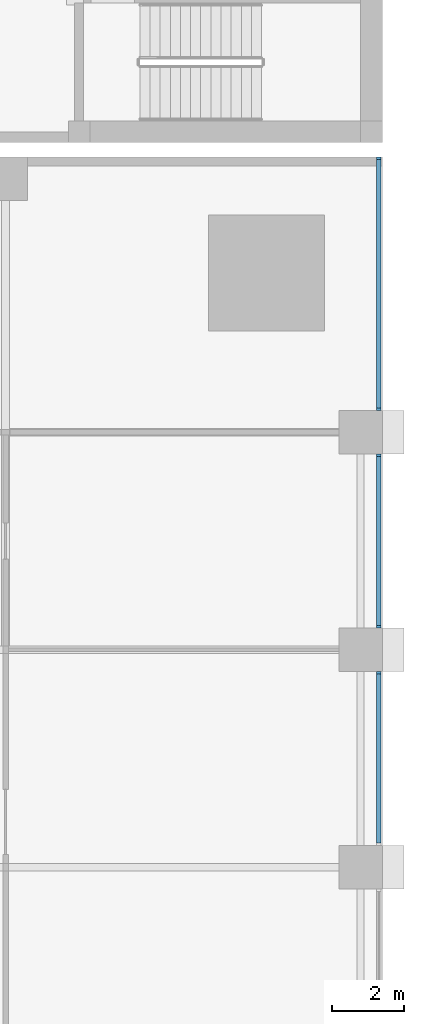
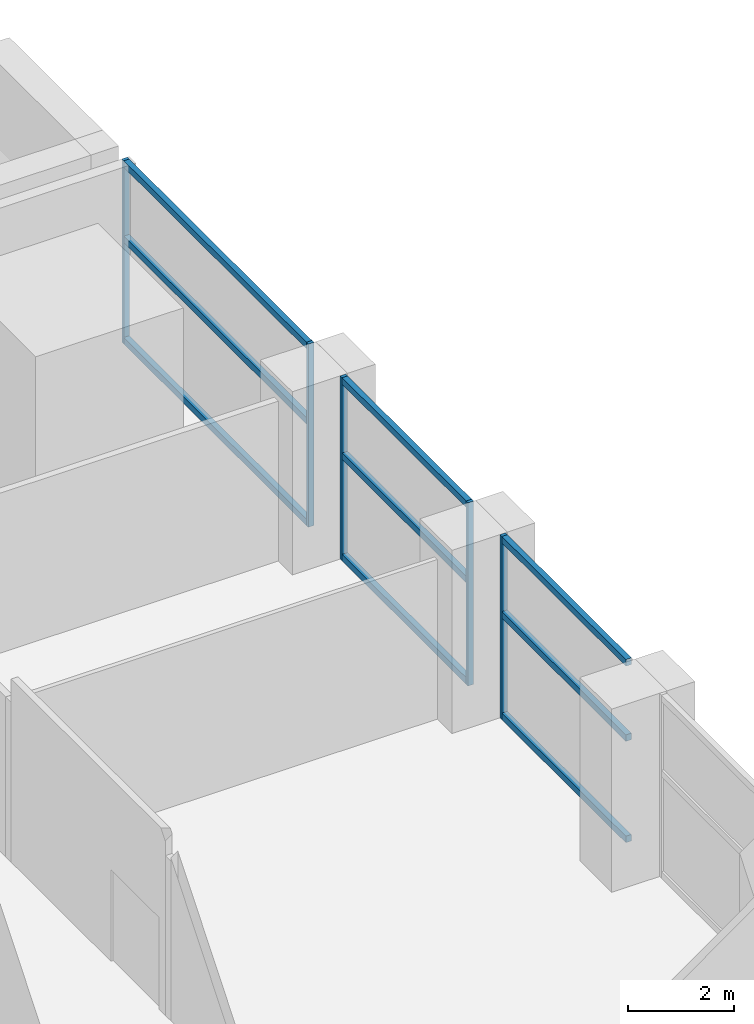
# One storey, part 7 of 25: 14 members, 3 elements without a shape of their own.
"""IFC4 building model written with IfcOpenShell, lengths in metres."""

from ifc_helpers import new_model, si_unit, direction, frame, origin, origin_2d, place, context, subcontext, project, spatial, rectangle, extrude, material, material_profile, profile_set, type_object, element, aggregate, save


model = new_model("IFC4")

# Units and contexts
model_context = context("Model", 3, precision=1e-05, world=origin(), true_north=direction((0.0, 1.0)))
body_context = subcontext(model_context, "Body", "Model", "MODEL_VIEW")
ifc_project = project(units=[si_unit("LENGTHUNIT", "METRE"), si_unit("AREAUNIT", "SQUARE_METRE"), si_unit("VOLUMEUNIT", "CUBIC_METRE"), si_unit("PLANEANGLEUNIT", "RADIAN"), si_unit("MASSUNIT", "GRAM", prefix="KILO")], contexts=[model_context])

# Site, building, storey
site_placement = place(None, origin())
site = spatial("IfcSite", under=ifc_project, at=site_placement, CompositionType="ELEMENT")
building_placement = place(site_placement, origin())
building = spatial("IfcBuilding", under=site, at=building_placement, Name="Amberfall Residences", CompositionType="ELEMENT")
storey_placement = place(building_placement, frame((0.0, 0.0, 10.0)))
storey = spatial("IfcBuildingStorey", under=building, at=storey_placement, Name="L02", CompositionType="ELEMENT", Elevation=10.0)

# Curtain wall, member
ifc_material_1 = material(Name="Bronze anodised aluminium and glass", Category="aluminium")
curtain_wall_type = type_object("IfcCurtainWallType", Name="Curtain wall CW4 podium storefront", PredefinedType="USERDEFINED", material=ifc_material_1)
curtain_wall_1_placement = place(storey_placement, origin())
curtain_wall_1 = element("IfcCurtainWall", 1, at=curtain_wall_1_placement, inside=storey, type_object=curtain_wall_type, Name="Storefront L02 E5", ObjectType="UNITISED CURTAIN WALL", PredefinedType="USERDEFINED")
ifc_material_2 = material(Name="Bronze anodised aluminium", Category="aluminium")
ifc_material_profile_1 = material_profile(ifc_material_2, rectangle(XDim=0.1201171875, YDim=0.070068359375, at=origin_2d()), Name="CW4 mullion 70 x 120 bronze")
ifc_profile_set_1 = profile_set([ifc_material_profile_1], Name="Bronze anodised aluminium")
member_type_1 = type_object("IfcMemberType", Name="CW4 mullion 70 x 120 bronze", PredefinedType="MULLION", material=ifc_profile_set_1)
member_1_placement = place(storey_placement, frame((99.89990234375, 53.764892578125, 0.0), z_axis=(0.0, 0.0, 1.0), x_axis=(-1.0, 0.0, 0.0)))
member_1 = element("IfcMember", 2, at=member_1_placement, type_object=member_type_1, Name="CW4 mullion 2", PredefinedType="MULLION", context=body_context, shape_type="SweptSolid", body=[
    extrude(rectangle(XDim=0.1201171875, YDim=0.070068359375, at=origin_2d()), origin(), (0.0, 0.0, 1.0), 4.199951171875),
])

# Curtain wall, members
curtain_wall_2_placement = place(storey_placement, origin())
curtain_wall_2 = element("IfcCurtainWall", 3, at=curtain_wall_2_placement, inside=storey, type_object=curtain_wall_type, Name="Storefront L02 E6", ObjectType="UNITISED CURTAIN WALL", PredefinedType="USERDEFINED")
member_2_placement = place(storey_placement, frame((99.89990234375, 55.034912109375, 0.0), z_axis=(0.0, 0.0, 1.0), x_axis=(-1.0, 0.0, 0.0)))
member_2 = element("IfcMember", 4, at=member_2_placement, type_object=member_type_1, Name="CW4 mullion 1", PredefinedType="MULLION", context=body_context, shape_type="SweptSolid", body=[
    extrude(rectangle(XDim=0.1201171875, YDim=0.070068359375, at=origin_2d()), origin(), (0.0, 0.0, 1.0), 4.199951171875),
])
member_3_placement = place(storey_placement, frame((99.89990234375, 59.764892578125, 0.0), z_axis=(0.0, 0.0, 1.0), x_axis=(-1.0, 0.0, 0.0)))
member_3 = element("IfcMember", 5, at=member_3_placement, type_object=member_type_1, Name="CW4 mullion 2", PredefinedType="MULLION", context=body_context, shape_type="SweptSolid", body=[
    extrude(rectangle(XDim=0.1201171875, YDim=0.070068359375, at=origin_2d()), origin(), (0.0, 0.0, 1.0), 4.199951171875),
])

curtain_wall_3_placement = place(storey_placement, origin())
curtain_wall_3 = element("IfcCurtainWall", 6, at=curtain_wall_3_placement, inside=storey, type_object=curtain_wall_type, Name="Storefront L02 E7", ObjectType="UNITISED CURTAIN WALL", PredefinedType="USERDEFINED")
member_4_placement = place(storey_placement, frame((99.89990234375, 61.034912109375, 0.0), z_axis=(0.0, 0.0, 1.0), x_axis=(-1.0, 0.0, 0.0)))
member_4 = element("IfcMember", 7, at=member_4_placement, type_object=member_type_1, Name="CW4 mullion 1", PredefinedType="MULLION", context=body_context, shape_type="SweptSolid", body=[
    extrude(rectangle(XDim=0.1201171875, YDim=0.070068359375, at=origin_2d()), origin(), (0.0, 0.0, 1.0), 4.199951171875),
])
member_5_placement = place(storey_placement, frame((99.89990234375, 67.965087890625, 0.0), z_axis=(0.0, 0.0, 1.0), x_axis=(-1.0, 0.0, 0.0)))
member_5 = element("IfcMember", 8, at=member_5_placement, type_object=member_type_1, Name="CW4 mullion 2", PredefinedType="MULLION", context=body_context, shape_type="SweptSolid", body=[
    extrude(rectangle(XDim=0.1201171875, YDim=0.070068359375, at=origin_2d()), origin(), (0.0, 0.0, 1.0), 4.199951171875),
])

# Member
ifc_material_profile_2 = material_profile(ifc_material_2, rectangle(XDim=0.1201171875, YDim=0.14990234375, at=origin_2d()), Name="CW4 transom 120 x 150 bronze")
ifc_profile_set_2 = profile_set([ifc_material_profile_2], Name="Bronze anodised aluminium")
member_type_2 = type_object("IfcMemberType", Name="CW4 transom 120 x 150 bronze", PredefinedType="USERDEFINED", material=ifc_profile_set_2)
member_6_placement = place(storey_placement, frame((99.89990234375, 49.070068359375, 0.074951171875), z_axis=(0.0, 1.0, 0.0), x_axis=(-1.0, 0.0, 0.0)))
member_6 = element("IfcMember", 9, at=member_6_placement, type_object=member_type_2, Name="CW4 transom 1.1", ObjectType="TRANSOM", PredefinedType="USERDEFINED", context=body_context, shape_type="SweptSolid", body=[
    extrude(rectangle(XDim=0.1201171875, YDim=0.14990234375, at=origin_2d()), origin(), (0.0, 0.0, 1.0), 4.659912109375),
])

member_7_placement = place(storey_placement, frame((99.89990234375, 49.070068359375, 2.39990234375), z_axis=(0.0, 1.0, 0.0), x_axis=(-1.0, 0.0, 0.0)))
member_7 = element("IfcMember", 10, at=member_7_placement, type_object=member_type_2, Name="CW4 transom 1.2", ObjectType="TRANSOM", PredefinedType="USERDEFINED", context=body_context, shape_type="SweptSolid", body=[
    extrude(rectangle(XDim=0.1201171875, YDim=0.14990234375, at=origin_2d()), origin(), (0.0, 0.0, 1.0), 4.659912109375),
])

member_8_placement = place(storey_placement, frame((99.89990234375, 49.070068359375, 4.125), z_axis=(0.0, 1.0, 0.0), x_axis=(-1.0, 0.0, 0.0)))
member_8 = element("IfcMember", 11, at=member_8_placement, type_object=member_type_2, Name="CW4 transom 1.3", ObjectType="TRANSOM", PredefinedType="USERDEFINED", context=body_context, shape_type="SweptSolid", body=[
    extrude(rectangle(XDim=0.1201171875, YDim=0.14990234375, at=origin_2d()), origin(), (0.0, 0.0, 1.0), 4.659912109375),
])

aggregate(curtain_wall_1, [member_1, member_6, member_7, member_8])

member_9_placement = place(storey_placement, frame((99.89990234375, 55.070068359375, 0.074951171875), z_axis=(0.0, 1.0, 0.0), x_axis=(-1.0, 0.0, 0.0)))
member_9 = element("IfcMember", 12, at=member_9_placement, type_object=member_type_2, Name="CW4 transom 1.1", ObjectType="TRANSOM", PredefinedType="USERDEFINED", context=body_context, shape_type="SweptSolid", body=[
    extrude(rectangle(XDim=0.1201171875, YDim=0.14990234375, at=origin_2d()), origin(), (0.0, 0.0, 1.0), 4.659912109375),
])

member_10_placement = place(storey_placement, frame((99.89990234375, 55.070068359375, 2.39990234375), z_axis=(0.0, 1.0, 0.0), x_axis=(-1.0, 0.0, 0.0)))
member_10 = element("IfcMember", 13, at=member_10_placement, type_object=member_type_2, Name="CW4 transom 1.2", ObjectType="TRANSOM", PredefinedType="USERDEFINED", context=body_context, shape_type="SweptSolid", body=[
    extrude(rectangle(XDim=0.1201171875, YDim=0.14990234375, at=origin_2d()), origin(), (0.0, 0.0, 1.0), 4.659912109375),
])

member_11_placement = place(storey_placement, frame((99.89990234375, 55.070068359375, 4.125), z_axis=(0.0, 1.0, 0.0), x_axis=(-1.0, 0.0, 0.0)))
member_11 = element("IfcMember", 14, at=member_11_placement, type_object=member_type_2, Name="CW4 transom 1.3", ObjectType="TRANSOM", PredefinedType="USERDEFINED", context=body_context, shape_type="SweptSolid", body=[
    extrude(rectangle(XDim=0.1201171875, YDim=0.14990234375, at=origin_2d()), origin(), (0.0, 0.0, 1.0), 4.659912109375),
])

aggregate(curtain_wall_2, [member_2, member_3, member_9, member_10, member_11])

member_12_placement = place(storey_placement, frame((99.89990234375, 61.070068359375, 0.074951171875), z_axis=(0.0, 1.0, 0.0), x_axis=(-1.0, 0.0, 0.0)))
member_12 = element("IfcMember", 15, at=member_12_placement, type_object=member_type_2, Name="CW4 transom 1.1", ObjectType="TRANSOM", PredefinedType="USERDEFINED", context=body_context, shape_type="SweptSolid", body=[
    extrude(rectangle(XDim=0.1201171875, YDim=0.14990234375, at=origin_2d()), origin(), (0.0, 0.0, 1.0), 6.85986328125),
])

member_13_placement = place(storey_placement, frame((99.89990234375, 61.070068359375, 2.39990234375), z_axis=(0.0, 1.0, 0.0), x_axis=(-1.0, 0.0, 0.0)))
member_13 = element("IfcMember", 16, at=member_13_placement, type_object=member_type_2, Name="CW4 transom 1.2", ObjectType="TRANSOM", PredefinedType="USERDEFINED", context=body_context, shape_type="SweptSolid", body=[
    extrude(rectangle(XDim=0.1201171875, YDim=0.14990234375, at=origin_2d()), origin(), (0.0, 0.0, 1.0), 6.85986328125),
])

member_14_placement = place(storey_placement, frame((99.89990234375, 61.070068359375, 4.125), z_axis=(0.0, 1.0, 0.0), x_axis=(-1.0, 0.0, 0.0)))
member_14 = element("IfcMember", 17, at=member_14_placement, type_object=member_type_2, Name="CW4 transom 1.3", ObjectType="TRANSOM", PredefinedType="USERDEFINED", context=body_context, shape_type="SweptSolid", body=[
    extrude(rectangle(XDim=0.1201171875, YDim=0.14990234375, at=origin_2d()), origin(), (0.0, 0.0, 1.0), 6.85986328125),
])

aggregate(curtain_wall_3, [member_4, member_5, member_12, member_13, member_14])

save(model, "model.ifc")
